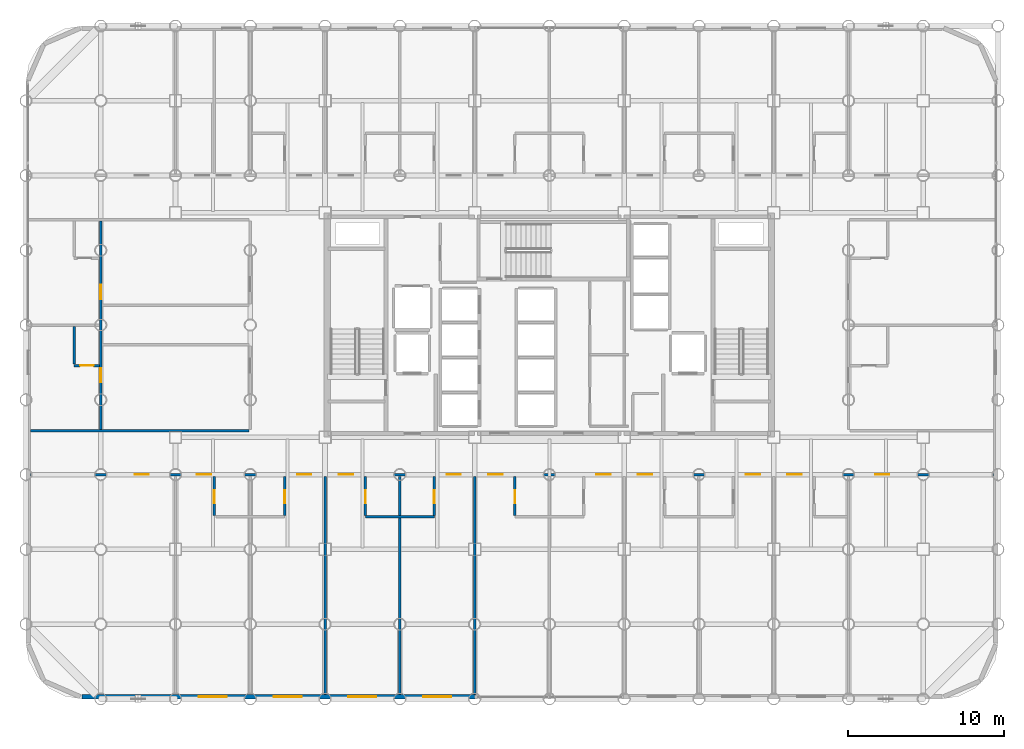
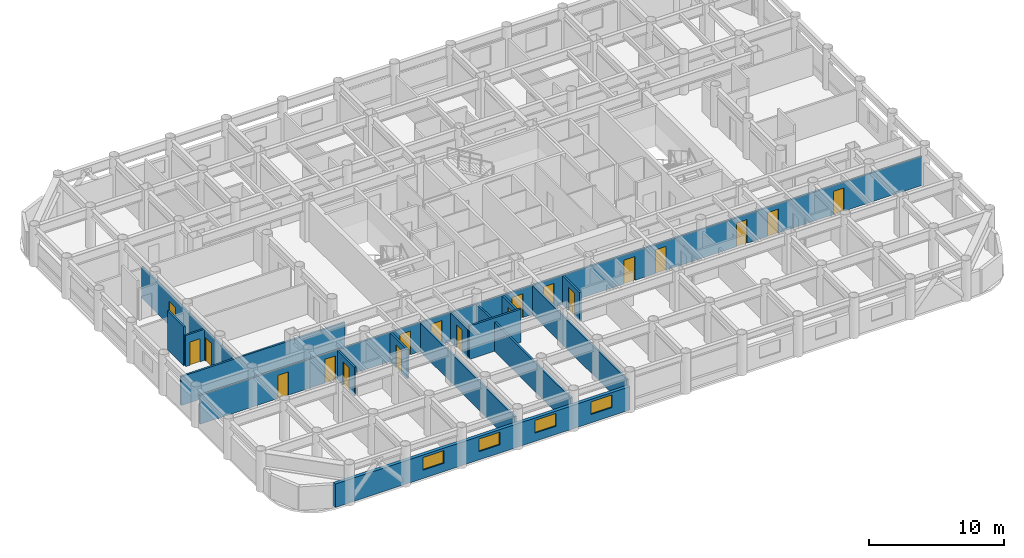
# One storey, part 16 of 22: 19 doors, 15 walls, 4 windows, 23 openings.
"""IFC4 building model written with IfcOpenShell, lengths in metres."""

from ifc_helpers import new_model, si_unit, direction, frame, frame_2d, origin, place, context, subcontext, project, spatial, rectangle, extrude, material, layer, layer_set, type_object, element, fill, save


model = new_model("IFC4")

# Units and contexts
model_context = context("Model", 3, precision=1e-05, world=origin(), true_north=direction((0.0, 1.0)))
body_context = subcontext(model_context, "Body", "Model", "MODEL_VIEW")
ifc_project = project(units=[si_unit("LENGTHUNIT", "METRE"), si_unit("AREAUNIT", "SQUARE_METRE"), si_unit("VOLUMEUNIT", "CUBIC_METRE"), si_unit("PLANEANGLEUNIT", "RADIAN"), si_unit("MASSUNIT", "GRAM", prefix="KILO")], contexts=[model_context])

# Site, building, storey
site_placement = place(None, origin())
site = spatial("IfcSite", under=ifc_project, at=site_placement, CompositionType="ELEMENT")
building_placement = place(site_placement, origin())
building = spatial("IfcBuilding", under=site, at=building_placement, Name="Kallvorn Hotel Tower", CompositionType="ELEMENT")
storey_placement = place(building_placement, frame((0.0, 0.0, 33.699951171875)))
storey = spatial("IfcBuildingStorey", under=building, at=storey_placement, Name="L06", CompositionType="ELEMENT", Elevation=33.699951171875)

# Wall
ifc_material_1 = material(Name="Fire-rated double-layer acoustic gypsum drywall EI 60")
ifc_layer_1 = layer(ifc_material_1, 0.159912109375)
ifc_layer_set_1 = layer_set([ifc_layer_1], Name="WL_DEMISE_160")
wall_type_1 = type_object("IfcWallType", Name="WL_DEMISE_160", PredefinedType="PARTITIONING", material=ifc_layer_set_1)
wall_1_placement = place(storey_placement, frame((-11.81005859375, -12.320068359375, 0.0), z_axis=(0.0, 0.0, 1.0), x_axis=(1.0, 0.0, 0.0)))
element("IfcWall", 1, at=wall_1_placement, inside=storey, type_object=wall_type_1, Name="L06 Suite 607 Superior Twin Room Partition", PredefinedType="PARTITIONING", context=body_context, shape_type="SweptSolid", body=[
    extrude(rectangle(XDim=4.420166015625, YDim=0.159912109375, at=frame_2d((2.2099609375, 0.0))), origin(), (0.0, 0.0, 1.0), 3.02001953125),
])

# Wall, openings, doors
wall_2_placement = place(storey_placement, frame((-33.31005859375, -9.60009765625, 0.0), z_axis=(0.0, 0.0, 1.0), x_axis=(1.0, 0.0, 0.0)))
wall_2 = element("IfcWall", 2, at=wall_2_placement, inside=storey, type_object=wall_type_1, Name="L06 Suite 605 Superior Twin Room Partition", PredefinedType="PARTITIONING", context=body_context, shape_type="SweptSolid", body=[
    extrude(rectangle(XDim=61.820068359375, YDim=0.159912109375, at=frame_2d((30.91015625, 0.0))), origin(), (0.0, 0.0, 1.0), 2.6201171875),
])
opening_1_placement = place(wall_2_placement, frame((6.679443359375, 0.0, 0.0)))
opening_1 = element("IfcOpeningElement", 3, at=opening_1_placement, cuts=wall_2, Name="Opening SVD1", PredefinedType="OPENING", context=body_context, shape_type="SweptSolid", body=[
    extrude(rectangle(XDim=0.89990234375, YDim=2.10009765625, at=frame_2d((0.449951171875, 1.050048828125))), frame((0.0, 0.094970703125, 0.0), z_axis=(0.0, -1.0, 0.0), x_axis=(1.0, 0.0, 0.0)), (0.0, 0.0, 1.0), 0.18994140625),
])
opening_2_placement = place(wall_2_placement, frame((54.240478515625, 0.0, 0.0)))
opening_2 = element("IfcOpeningElement", 4, at=opening_2_placement, cuts=wall_2, Name="Opening SVD1", PredefinedType="OPENING", context=body_context, shape_type="SweptSolid", body=[
    extrude(rectangle(XDim=0.89990234375, YDim=2.10009765625, at=frame_2d((0.449951171875, 1.050048828125))), frame((0.0, 0.094970703125, 0.0), z_axis=(0.0, -1.0, 0.0), x_axis=(1.0, 0.0, 0.0)), (0.0, 0.0, 1.0), 0.18994140625),
])
opening_3_placement = place(wall_2_placement, frame((10.679931640625, 0.0, 0.0)))
opening_3 = element("IfcOpeningElement", 5, at=opening_3_placement, cuts=wall_2, Name="Opening GD1", PredefinedType="OPENING", context=body_context, shape_type="SweptSolid", body=[
    extrude(rectangle(XDim=0.919921875, YDim=2.14990234375, at=frame_2d((0.4599609375, 1.074951171875))), frame((0.0, 0.094970703125, 0.0), z_axis=(0.0, -1.0, 0.0), x_axis=(1.0, 0.0, 0.0)), (0.0, 0.0, 1.0), 0.18994140625),
])
opening_4_placement = place(wall_2_placement, frame((17.114990234375, 0.0, 0.0)))
opening_4 = element("IfcOpeningElement", 6, at=opening_4_placement, cuts=wall_2, Name="Opening GD1", PredefinedType="OPENING", context=body_context, shape_type="SweptSolid", body=[
    extrude(rectangle(XDim=0.919921875, YDim=2.14990234375, at=frame_2d((0.4599609375, 1.074951171875))), frame((0.0, 0.094970703125, 0.0), z_axis=(0.0, -1.0, 0.0), x_axis=(1.0, 0.0, 0.0)), (0.0, 0.0, 1.0), 0.18994140625),
])
opening_5_placement = place(wall_2_placement, frame((19.784912109375, 0.0, 0.0)))
opening_5 = element("IfcOpeningElement", 7, at=opening_5_placement, cuts=wall_2, Name="Opening GD1", PredefinedType="OPENING", context=body_context, shape_type="SweptSolid", body=[
    extrude(rectangle(XDim=0.919921875, YDim=2.14990234375, at=frame_2d((0.4599609375, 1.074951171875))), frame((0.0, 0.094970703125, 0.0), z_axis=(0.0, -1.0, 0.0), x_axis=(1.0, 0.0, 0.0)), (0.0, 0.0, 1.0), 0.18994140625),
])
opening_6_placement = place(wall_2_placement, frame((26.715087890625, 0.0, 0.0)))
opening_6 = element("IfcOpeningElement", 8, at=opening_6_placement, cuts=wall_2, Name="Opening GD1", PredefinedType="OPENING", context=body_context, shape_type="SweptSolid", body=[
    extrude(rectangle(XDim=0.919921875, YDim=2.14990234375, at=frame_2d((0.4599609375, 1.074951171875))), frame((0.0, 0.094970703125, 0.0), z_axis=(0.0, -1.0, 0.0), x_axis=(1.0, 0.0, 0.0)), (0.0, 0.0, 1.0), 0.18994140625),
])
opening_7_placement = place(wall_2_placement, frame((29.385009765625, 0.0, 0.0)))
opening_7 = element("IfcOpeningElement", 9, at=opening_7_placement, cuts=wall_2, Name="Opening GD1", PredefinedType="OPENING", context=body_context, shape_type="SweptSolid", body=[
    extrude(rectangle(XDim=0.919921875, YDim=2.14990234375, at=frame_2d((0.4599609375, 1.074951171875))), frame((0.0, 0.094970703125, 0.0), z_axis=(0.0, -1.0, 0.0), x_axis=(1.0, 0.0, 0.0)), (0.0, 0.0, 1.0), 0.18994140625),
])
opening_8_placement = place(wall_2_placement, frame((36.31494140625, 0.0, 0.0)))
opening_8 = element("IfcOpeningElement", 10, at=opening_8_placement, cuts=wall_2, Name="Opening GD1", PredefinedType="OPENING", context=body_context, shape_type="SweptSolid", body=[
    extrude(rectangle(XDim=0.919921875, YDim=2.14990234375, at=frame_2d((0.4599609375, 1.074951171875))), frame((0.0, 0.094970703125, 0.0), z_axis=(0.0, -1.0, 0.0), x_axis=(1.0, 0.0, 0.0)), (0.0, 0.0, 1.0), 0.18994140625),
])
opening_9_placement = place(wall_2_placement, frame((38.985107421875, 0.0, 0.0)))
opening_9 = element("IfcOpeningElement", 11, at=opening_9_placement, cuts=wall_2, Name="Opening GD1", PredefinedType="OPENING", context=body_context, shape_type="SweptSolid", body=[
    extrude(rectangle(XDim=0.919921875, YDim=2.14990234375, at=frame_2d((0.4599609375, 1.074951171875))), frame((0.0, 0.094970703125, 0.0), z_axis=(0.0, -1.0, 0.0), x_axis=(1.0, 0.0, 0.0)), (0.0, 0.0, 1.0), 0.18994140625),
])
opening_10_placement = place(wall_2_placement, frame((45.9150390625, 0.0, 0.0)))
opening_10 = element("IfcOpeningElement", 12, at=opening_10_placement, cuts=wall_2, Name="Opening GD1", PredefinedType="OPENING", context=body_context, shape_type="SweptSolid", body=[
    extrude(rectangle(XDim=0.919921875, YDim=2.14990234375, at=frame_2d((0.4599609375, 1.074951171875))), frame((0.0, 0.094970703125, 0.0), z_axis=(0.0, -1.0, 0.0), x_axis=(1.0, 0.0, 0.0)), (0.0, 0.0, 1.0), 0.18994140625),
])
opening_11_placement = place(wall_2_placement, frame((48.5849609375, 0.0, 0.0)))
opening_11 = element("IfcOpeningElement", 13, at=opening_11_placement, cuts=wall_2, Name="Opening GD1", PredefinedType="OPENING", context=body_context, shape_type="SweptSolid", body=[
    extrude(rectangle(XDim=0.919921875, YDim=2.14990234375, at=frame_2d((0.4599609375, 1.074951171875))), frame((0.0, 0.094970703125, 0.0), z_axis=(0.0, -1.0, 0.0), x_axis=(1.0, 0.0, 0.0)), (0.0, 0.0, 1.0), 0.18994140625),
])
ifc_material_2 = material(Name="Solid-core walnut veneer fire-rated timber door leaf", Category="wood")
door_type_1 = type_object("IfcDoorType", Name="DR_GUEST_920x2150", OperationType="NOTDEFINED", PredefinedType="DOOR", material=ifc_material_2)
door_1_placement = place(opening_3_placement, origin())
door_1 = element("IfcDoor", 14, at=door_1_placement, inside=storey, type_object=door_type_1, Name="L06 Suite 605 Superior Twin Room Door", OperationType="SINGLE_SWING_LEFT", OverallHeight=2.14990234375, OverallWidth=0.919921875, PredefinedType="DOOR", context=body_context, shape_type="SweptSolid", body=[
    extrude(rectangle(XDim=0.919921875, YDim=2.14990234375, at=frame_2d((0.4599609375, 1.074951171875))), frame((0.0, 0.02490234375, 0.0), z_axis=(0.0, -1.0, 0.0), x_axis=(1.0, 0.0, 0.0)), (0.0, 0.0, 1.0), 0.050048828125),
])
fill(opening_3, door_1)
door_2_placement = place(opening_4_placement, origin())
door_2 = element("IfcDoor", 15, at=door_2_placement, inside=storey, type_object=door_type_1, Name="L06 Suite 606 Superior Twin Room Door", OperationType="SINGLE_SWING_RIGHT", OverallHeight=2.14990234375, OverallWidth=0.919921875, PredefinedType="DOOR", context=body_context, shape_type="SweptSolid", body=[
    extrude(rectangle(XDim=0.919921875, YDim=2.14990234375, at=frame_2d((0.4599609375, 1.074951171875))), frame((0.0, 0.02490234375, 0.0), z_axis=(0.0, -1.0, 0.0), x_axis=(1.0, 0.0, 0.0)), (0.0, 0.0, 1.0), 0.050048828125),
])
fill(opening_4, door_2)
door_3_placement = place(opening_5_placement, origin())
door_3 = element("IfcDoor", 16, at=door_3_placement, inside=storey, type_object=door_type_1, Name="L06 Suite 607 Superior Twin Room Door", OperationType="SINGLE_SWING_RIGHT", OverallHeight=2.14990234375, OverallWidth=0.919921875, PredefinedType="DOOR", context=body_context, shape_type="SweptSolid", body=[
    extrude(rectangle(XDim=0.919921875, YDim=2.14990234375, at=frame_2d((0.4599609375, 1.074951171875))), frame((0.0, 0.02490234375, 0.0), z_axis=(0.0, -1.0, 0.0), x_axis=(1.0, 0.0, 0.0)), (0.0, 0.0, 1.0), 0.050048828125),
])
fill(opening_5, door_3)
door_4_placement = place(opening_6_placement, origin())
door_4 = element("IfcDoor", 17, at=door_4_placement, inside=storey, type_object=door_type_1, Name="L06 Suite 608 Superior Twin Room Door", OperationType="SINGLE_SWING_RIGHT", OverallHeight=2.14990234375, OverallWidth=0.919921875, PredefinedType="DOOR", context=body_context, shape_type="SweptSolid", body=[
    extrude(rectangle(XDim=0.919921875, YDim=2.14990234375, at=frame_2d((0.4599609375, 1.074951171875))), frame((0.0, 0.02490234375, 0.0), z_axis=(0.0, -1.0, 0.0), x_axis=(1.0, 0.0, 0.0)), (0.0, 0.0, 1.0), 0.050048828125),
])
fill(opening_6, door_4)
door_5_placement = place(opening_7_placement, origin())
door_5 = element("IfcDoor", 18, at=door_5_placement, inside=storey, type_object=door_type_1, Name="L06 Suite 609 Superior Twin Room Door", OperationType="SINGLE_SWING_LEFT", OverallHeight=2.14990234375, OverallWidth=0.919921875, PredefinedType="DOOR", context=body_context, shape_type="SweptSolid", body=[
    extrude(rectangle(XDim=0.919921875, YDim=2.14990234375, at=frame_2d((0.4599609375, 1.074951171875))), frame((0.0, 0.02490234375, 0.0), z_axis=(0.0, -1.0, 0.0), x_axis=(1.0, 0.0, 0.0)), (0.0, 0.0, 1.0), 0.050048828125),
])
fill(opening_7, door_5)
door_6_placement = place(opening_8_placement, origin())
door_6 = element("IfcDoor", 19, at=door_6_placement, inside=storey, type_object=door_type_1, Name="L06 Suite 610 Superior Twin Room Door", OperationType="SINGLE_SWING_LEFT", OverallHeight=2.14990234375, OverallWidth=0.919921875, PredefinedType="DOOR", context=body_context, shape_type="SweptSolid", body=[
    extrude(rectangle(XDim=0.919921875, YDim=2.14990234375, at=frame_2d((0.4599609375, 1.074951171875))), frame((0.0, 0.02490234375, 0.0), z_axis=(0.0, -1.0, 0.0), x_axis=(1.0, 0.0, 0.0)), (0.0, 0.0, 1.0), 0.050048828125),
])
fill(opening_8, door_6)
door_7_placement = place(opening_9_placement, origin())
door_7 = element("IfcDoor", 20, at=door_7_placement, inside=storey, type_object=door_type_1, Name="L06 Suite 611 Superior Twin Room Door", OperationType="SINGLE_SWING_RIGHT", OverallHeight=2.14990234375, OverallWidth=0.919921875, PredefinedType="DOOR", context=body_context, shape_type="SweptSolid", body=[
    extrude(rectangle(XDim=0.919921875, YDim=2.14990234375, at=frame_2d((0.4599609375, 1.074951171875))), frame((0.0, 0.02490234375, 0.0), z_axis=(0.0, -1.0, 0.0), x_axis=(1.0, 0.0, 0.0)), (0.0, 0.0, 1.0), 0.050048828125),
])
fill(opening_9, door_7)
door_8_placement = place(opening_10_placement, origin())
door_8 = element("IfcDoor", 21, at=door_8_placement, inside=storey, type_object=door_type_1, Name="L06 Suite 612 Superior Twin Room Door", OperationType="SINGLE_SWING_LEFT", OverallHeight=2.14990234375, OverallWidth=0.919921875, PredefinedType="DOOR", context=body_context, shape_type="SweptSolid", body=[
    extrude(rectangle(XDim=0.919921875, YDim=2.14990234375, at=frame_2d((0.4599609375, 1.074951171875))), frame((0.0, 0.02490234375, 0.0), z_axis=(0.0, -1.0, 0.0), x_axis=(1.0, 0.0, 0.0)), (0.0, 0.0, 1.0), 0.050048828125),
])
fill(opening_10, door_8)
door_9_placement = place(opening_11_placement, origin())
door_9 = element("IfcDoor", 22, at=door_9_placement, inside=storey, type_object=door_type_1, Name="L06 Suite 613 Superior Twin Room Door", OperationType="SINGLE_SWING_RIGHT", OverallHeight=2.14990234375, OverallWidth=0.919921875, PredefinedType="DOOR", context=body_context, shape_type="SweptSolid", body=[
    extrude(rectangle(XDim=0.919921875, YDim=2.14990234375, at=frame_2d((0.4599609375, 1.074951171875))), frame((0.0, 0.02490234375, 0.0), z_axis=(0.0, -1.0, 0.0), x_axis=(1.0, 0.0, 0.0)), (0.0, 0.0, 1.0), 0.050048828125),
])
fill(opening_11, door_9)
ifc_material_3 = material(Name="Galvanised painted steel fire-rated door assembly", Category="steel")
door_type_2 = type_object("IfcDoorType", Name="DR_SERV_900x2100", OperationType="NOTDEFINED", PredefinedType="DOOR", material=ifc_material_3)
door_10_placement = place(opening_1_placement, origin())
door_10 = element("IfcDoor", 23, at=door_10_placement, inside=storey, type_object=door_type_2, Name="L06 L06 South-West Botanical Bar Door", OperationType="SINGLE_SWING_RIGHT", OverallHeight=2.10009765625, OverallWidth=0.89990234375, PredefinedType="DOOR", context=body_context, shape_type="SweptSolid", body=[
    extrude(rectangle(XDim=0.89990234375, YDim=2.10009765625, at=frame_2d((0.449951171875, 1.050048828125))), frame((0.0, 0.02490234375, 0.0), z_axis=(0.0, -1.0, 0.0), x_axis=(1.0, 0.0, 0.0)), (0.0, 0.0, 1.0), 0.050048828125),
])
fill(opening_1, door_10)
door_11_placement = place(opening_2_placement, origin())
door_11 = element("IfcDoor", 24, at=door_11_placement, inside=storey, type_object=door_type_2, Name="L06 L06 South-East Sommelier Bar Door", OperationType="SINGLE_SWING_RIGHT", OverallHeight=2.10009765625, OverallWidth=0.89990234375, PredefinedType="DOOR", context=body_context, shape_type="SweptSolid", body=[
    extrude(rectangle(XDim=0.89990234375, YDim=2.10009765625, at=frame_2d((0.449951171875, 1.050048828125))), frame((0.0, 0.02490234375, 0.0), z_axis=(0.0, -1.0, 0.0), x_axis=(1.0, 0.0, 0.0)), (0.0, 0.0, 1.0), 0.050048828125),
])
fill(opening_2, door_11)

# Wall
wall_3_placement = place(storey_placement, frame((-33.31005859375, -6.800048828125, 0.0), z_axis=(0.0, 0.0, 1.0), x_axis=(1.0, 0.0, 0.0)))
element("IfcWall", 25, at=wall_3_placement, inside=storey, type_object=wall_type_1, Name="L06 Suite 601 W Loggia King Room Partition", PredefinedType="PARTITIONING", context=body_context, shape_type="SweptSolid", body=[
    extrude(rectangle(XDim=14.030029296875, YDim=0.159912109375, at=frame_2d((7.01513671875, 0.0))), origin(), (0.0, 0.0, 1.0), 2.6201171875),
])

# Wall, opening, door
wall_4_placement = place(storey_placement, frame((-30.5, -2.60009765625, 0.0), z_axis=(0.0, 0.0, 1.0), x_axis=(1.0, 0.0, 0.0)))
wall_4 = element("IfcWall", 26, at=wall_4_placement, inside=storey, type_object=wall_type_1, Name="L06 Suite 601 W Loggia King Room Partition", PredefinedType="PARTITIONING", context=body_context, shape_type="SweptSolid", body=[
    extrude(rectangle(XDim=1.6201171875, YDim=0.159912109375, at=frame_2d((0.81005859375, 0.0))), origin(), (0.0, 0.0, 1.0), 2.820068359375),
])
opening_12_placement = place(wall_4_placement, frame((0.3798828125, 0.0, 0.0)))
opening_12 = element("IfcOpeningElement", 27, at=opening_12_placement, cuts=wall_4, Name="Opening BD-I", PredefinedType="OPENING", context=body_context, shape_type="SweptSolid", body=[
    extrude(rectangle(XDim=0.860107421875, YDim=2.10009765625, at=frame_2d((0.43017578125, 1.050048828125))), frame((0.0, 0.094970703125, 0.0), z_axis=(0.0, -1.0, 0.0), x_axis=(1.0, 0.0, 0.0)), (0.0, 0.0, 1.0), 0.18994140625),
])
ifc_material_4 = material(Name="Solid-core walnut veneer fire-rated timber door leaf", Category="wood")
door_type_3 = type_object("IfcDoorType", Name="DR_BATH_860x2100", OperationType="NOTDEFINED", PredefinedType="DOOR", material=ifc_material_4)
door_12_placement = place(opening_12_placement, origin())
door_12 = element("IfcDoor", 28, at=door_12_placement, inside=storey, type_object=door_type_3, Name="L06 Suite 601 En-Suite Bathroom Door", OperationType="SINGLE_SWING_RIGHT", OverallHeight=2.10009765625, OverallWidth=0.860107421875, PredefinedType="DOOR", context=body_context, shape_type="SweptSolid", body=[
    extrude(rectangle(XDim=0.860107421875, YDim=2.10009765625, at=frame_2d((0.43017578125, 1.050048828125))), frame((0.0, 0.02490234375, 0.0), z_axis=(0.0, -1.0, 0.0), x_axis=(1.0, 0.0, 0.0)), (0.0, 0.0, 1.0), 0.050048828125),
])
fill(opening_12, door_12)

# Wall
wall_5_placement = place(storey_placement, frame((-30.5, -2.514892578125, 0.0), z_axis=(0.0, 0.0, 1.0), x_axis=(0.0, 1.0, 0.0)))
element("IfcWall", 29, at=wall_5_placement, inside=storey, type_object=wall_type_1, Name="L06 Suite 601 W Loggia King Room Partition", PredefinedType="PARTITIONING", context=body_context, shape_type="SweptSolid", body=[
    extrude(rectangle(XDim=2.414794921875, YDim=0.159912109375, at=frame_2d((1.20751953125, 0.0))), origin(), (0.0, 0.0, 1.0), 3.52001953125),
])

# Wall, openings, doors
wall_6_placement = place(storey_placement, frame((-28.800048828125, -6.715087890625, 0.0), z_axis=(0.0, 0.0, 1.0), x_axis=(0.0, 1.0, 0.0)))
wall_6 = element("IfcWall", 30, at=wall_6_placement, inside=storey, type_object=wall_type_1, Name="L06 Suite 601 W Loggia King Room Partition", PredefinedType="PARTITIONING", context=body_context, shape_type="SweptSolid", body=[
    extrude(rectangle(XDim=13.388427734375, YDim=0.159912109375, at=frame_2d((6.6943359375, 0.0))), origin(), (0.0, 0.0, 1.0), 2.820068359375),
])
opening_13_placement = place(wall_6_placement, frame((3.034912109375, 0.0, 0.0)))
opening_13 = element("IfcOpeningElement", 31, at=opening_13_placement, cuts=wall_6, Name="Opening GD1", PredefinedType="OPENING", context=body_context, shape_type="SweptSolid", body=[
    extrude(rectangle(XDim=0.919921875, YDim=2.14990234375, at=frame_2d((0.4599609375, 1.074951171875))), frame((0.0, 0.094970703125, 0.0), z_axis=(0.0, -1.0, 0.0), x_axis=(1.0, 0.0, 0.0)), (0.0, 0.0, 1.0), 0.18994140625),
])
opening_14_placement = place(wall_6_placement, frame((8.385009765625, 0.0, 0.0)))
opening_14 = element("IfcOpeningElement", 32, at=opening_14_placement, cuts=wall_6, Name="Opening GD1", PredefinedType="OPENING", context=body_context, shape_type="SweptSolid", body=[
    extrude(rectangle(XDim=0.919921875, YDim=2.14990234375, at=frame_2d((0.4599609375, 1.074951171875))), frame((0.0, 0.094970703125, 0.0), z_axis=(0.0, -1.0, 0.0), x_axis=(1.0, 0.0, 0.0)), (0.0, 0.0, 1.0), 0.18994140625),
])
door_13_placement = place(opening_13_placement, origin())
door_13 = element("IfcDoor", 33, at=door_13_placement, inside=storey, type_object=door_type_1, Name="L06 Suite 601 W Loggia King Room Door", OperationType="SINGLE_SWING_LEFT", OverallHeight=2.14990234375, OverallWidth=0.919921875, PredefinedType="DOOR", context=body_context, shape_type="SweptSolid", body=[
    extrude(rectangle(XDim=0.919921875, YDim=2.14990234375, at=frame_2d((0.4599609375, 1.074951171875))), frame((0.0, 0.02490234375, 0.0), z_axis=(0.0, -1.0, 0.0), x_axis=(1.0, 0.0, 0.0)), (0.0, 0.0, 1.0), 0.050048828125),
])
fill(opening_13, door_13)
door_14_placement = place(opening_14_placement, origin())
door_14 = element("IfcDoor", 34, at=door_14_placement, inside=storey, type_object=door_type_1, Name="L06 Suite 602 W Andean Twin Room Door", OperationType="SINGLE_SWING_RIGHT", OverallHeight=2.14990234375, OverallWidth=0.919921875, PredefinedType="DOOR", context=body_context, shape_type="SweptSolid", body=[
    extrude(rectangle(XDim=0.919921875, YDim=2.14990234375, at=frame_2d((0.4599609375, 1.074951171875))), frame((0.0, 0.02490234375, 0.0), z_axis=(0.0, -1.0, 0.0), x_axis=(1.0, 0.0, 0.0)), (0.0, 0.0, 1.0), 0.050048828125),
])
fill(opening_14, door_14)

# Wall, opening, door
wall_7_placement = place(storey_placement, frame((-21.5048828125, -12.235107421875, 0.0), z_axis=(0.0, 0.0, 1.0), x_axis=(0.0, 1.0, 0.0)))
wall_7 = element("IfcWall", 35, at=wall_7_placement, inside=storey, type_object=wall_type_1, Name="L06 Suite 605 Superior Twin Room Partition", PredefinedType="PARTITIONING", context=body_context, shape_type="SweptSolid", body=[
    extrude(rectangle(XDim=2.51513671875, YDim=0.159912109375, at=frame_2d((1.257568359375, 0.0))), origin(), (0.0, 0.0, 1.0), 2.6201171875),
])
opening_15_placement = place(wall_7_placement, frame((0.784912109375, 0.0, 0.0)))
opening_15 = element("IfcOpeningElement", 36, at=opening_15_placement, cuts=wall_7, Name="Opening BD-I", PredefinedType="OPENING", context=body_context, shape_type="SweptSolid", body=[
    extrude(rectangle(XDim=0.860107421875, YDim=2.10009765625, at=frame_2d((0.43017578125, 1.050048828125))), frame((0.0, 0.094970703125, 0.0), z_axis=(0.0, -1.0, 0.0), x_axis=(1.0, 0.0, 0.0)), (0.0, 0.0, 1.0), 0.18994140625),
])
door_15_placement = place(opening_15_placement, origin())
door_15 = element("IfcDoor", 37, at=door_15_placement, inside=storey, type_object=door_type_3, Name="L06 Suite 605 En-Suite Bathroom Door", OperationType="SINGLE_SWING_LEFT", OverallHeight=2.10009765625, OverallWidth=0.860107421875, PredefinedType="DOOR", context=body_context, shape_type="SweptSolid", body=[
    extrude(rectangle(XDim=0.860107421875, YDim=2.10009765625, at=frame_2d((0.43017578125, 1.050048828125))), frame((0.0, 0.02490234375, 0.0), z_axis=(0.0, -1.0, 0.0), x_axis=(1.0, 0.0, 0.0)), (0.0, 0.0, 1.0), 0.050048828125),
])
fill(opening_15, door_15)

wall_8_placement = place(storey_placement, frame((-16.989990234375, -12.235107421875, 0.0), z_axis=(0.0, 0.0, 1.0), x_axis=(0.0, 1.0, 0.0)))
wall_8 = element("IfcWall", 38, at=wall_8_placement, inside=storey, type_object=wall_type_1, Name="L06 Suite 606 Superior Twin Room Partition", PredefinedType="PARTITIONING", context=body_context, shape_type="SweptSolid", body=[
    extrude(rectangle(XDim=2.51513671875, YDim=0.159912109375, at=frame_2d((1.257568359375, 0.0))), origin(), (0.0, 0.0, 1.0), 2.6201171875),
])
opening_16_placement = place(wall_8_placement, frame((0.784912109375, 0.0, 0.0)))
opening_16 = element("IfcOpeningElement", 39, at=opening_16_placement, cuts=wall_8, Name="Opening BD-I", PredefinedType="OPENING", context=body_context, shape_type="SweptSolid", body=[
    extrude(rectangle(XDim=0.860107421875, YDim=2.10009765625, at=frame_2d((0.43017578125, 1.050048828125))), frame((0.0, 0.094970703125, 0.0), z_axis=(0.0, -1.0, 0.0), x_axis=(1.0, 0.0, 0.0)), (0.0, 0.0, 1.0), 0.18994140625),
])
door_16_placement = place(opening_16_placement, origin())
door_16 = element("IfcDoor", 40, at=door_16_placement, inside=storey, type_object=door_type_3, Name="L06 Suite 606 En-Suite Bathroom Door", OperationType="SINGLE_SWING_LEFT", OverallHeight=2.10009765625, OverallWidth=0.860107421875, PredefinedType="DOOR", context=body_context, shape_type="SweptSolid", body=[
    extrude(rectangle(XDim=0.860107421875, YDim=2.10009765625, at=frame_2d((0.43017578125, 1.050048828125))), frame((0.0, 0.02490234375, 0.0), z_axis=(0.0, -1.0, 0.0), x_axis=(1.0, 0.0, 0.0)), (0.0, 0.0, 1.0), 0.050048828125),
])
fill(opening_16, door_16)

# Wall
wall_9_placement = place(storey_placement, frame((-14.39990234375, -23.7099609375, 0.0), z_axis=(0.0, 0.0, 1.0), x_axis=(0.0, 1.0, 0.0)))
element("IfcWall", 41, at=wall_9_placement, inside=storey, type_object=wall_type_1, Name="L06 Suite 606 Superior Twin Room Partition", PredefinedType="PARTITIONING", context=body_context, shape_type="SweptSolid", body=[
    extrude(rectangle(XDim=13.989990234375, YDim=0.159912109375, at=frame_2d((6.9951171875, 0.0))), origin(), (0.0, 0.0, 1.0), 2.6201171875),
])

# Wall, opening, door
wall_10_placement = place(storey_placement, frame((-11.81005859375, -12.235107421875, 0.0), z_axis=(0.0, 0.0, 1.0), x_axis=(0.0, 1.0, 0.0)))
wall_10 = element("IfcWall", 42, at=wall_10_placement, inside=storey, type_object=wall_type_1, Name="L06 Suite 607 Superior Twin Room Partition", PredefinedType="PARTITIONING", context=body_context, shape_type="SweptSolid", body=[
    extrude(rectangle(XDim=2.51513671875, YDim=0.159912109375, at=frame_2d((1.257568359375, 0.0))), origin(), (0.0, 0.0, 1.0), 2.6201171875),
])
opening_17_placement = place(wall_10_placement, frame((0.784912109375, 0.0, 0.0)))
opening_17 = element("IfcOpeningElement", 43, at=opening_17_placement, cuts=wall_10, Name="Opening BD-I", PredefinedType="OPENING", context=body_context, shape_type="SweptSolid", body=[
    extrude(rectangle(XDim=0.860107421875, YDim=2.10009765625, at=frame_2d((0.43017578125, 1.050048828125))), frame((0.0, 0.094970703125, 0.0), z_axis=(0.0, -1.0, 0.0), x_axis=(1.0, 0.0, 0.0)), (0.0, 0.0, 1.0), 0.18994140625),
])
door_17_placement = place(opening_17_placement, origin())
door_17 = element("IfcDoor", 44, at=door_17_placement, inside=storey, type_object=door_type_3, Name="L06 Suite 607 En-Suite Bathroom Door", OperationType="SINGLE_SWING_LEFT", OverallHeight=2.10009765625, OverallWidth=0.860107421875, PredefinedType="DOOR", context=body_context, shape_type="SweptSolid", body=[
    extrude(rectangle(XDim=0.860107421875, YDim=2.10009765625, at=frame_2d((0.43017578125, 1.050048828125))), frame((0.0, 0.02490234375, 0.0), z_axis=(0.0, -1.0, 0.0), x_axis=(1.0, 0.0, 0.0)), (0.0, 0.0, 1.0), 0.050048828125),
])
fill(opening_17, door_17)

# Wall
wall_11_placement = place(storey_placement, frame((-9.60009765625, -23.7099609375, 0.0), z_axis=(0.0, 0.0, 1.0), x_axis=(0.0, 1.0, 0.0)))
element("IfcWall", 45, at=wall_11_placement, inside=storey, type_object=wall_type_1, Name="L06 Suite 607 Superior Twin Room Partition", PredefinedType="PARTITIONING", context=body_context, shape_type="SweptSolid", body=[
    extrude(rectangle(XDim=13.989990234375, YDim=0.159912109375, at=frame_2d((6.9951171875, 0.0))), origin(), (0.0, 0.0, 1.0), 2.6201171875),
])

# Wall, opening, door
wall_12_placement = place(storey_placement, frame((-7.389892578125, -12.235107421875, 0.0), z_axis=(0.0, 0.0, 1.0), x_axis=(0.0, 1.0, 0.0)))
wall_12 = element("IfcWall", 46, at=wall_12_placement, inside=storey, type_object=wall_type_1, Name="L06 Suite 608 Superior Twin Room Partition", PredefinedType="PARTITIONING", context=body_context, shape_type="SweptSolid", body=[
    extrude(rectangle(XDim=2.51513671875, YDim=0.159912109375, at=frame_2d((1.257568359375, 0.0))), origin(), (0.0, 0.0, 1.0), 2.6201171875),
])
opening_18_placement = place(wall_12_placement, frame((0.784912109375, 0.0, 0.0)))
opening_18 = element("IfcOpeningElement", 47, at=opening_18_placement, cuts=wall_12, Name="Opening BD-I", PredefinedType="OPENING", context=body_context, shape_type="SweptSolid", body=[
    extrude(rectangle(XDim=0.860107421875, YDim=2.10009765625, at=frame_2d((0.43017578125, 1.050048828125))), frame((0.0, 0.094970703125, 0.0), z_axis=(0.0, -1.0, 0.0), x_axis=(1.0, 0.0, 0.0)), (0.0, 0.0, 1.0), 0.18994140625),
])
door_18_placement = place(opening_18_placement, origin())
door_18 = element("IfcDoor", 48, at=door_18_placement, inside=storey, type_object=door_type_3, Name="L06 Suite 608 En-Suite Bathroom Door", OperationType="SINGLE_SWING_LEFT", OverallHeight=2.10009765625, OverallWidth=0.860107421875, PredefinedType="DOOR", context=body_context, shape_type="SweptSolid", body=[
    extrude(rectangle(XDim=0.860107421875, YDim=2.10009765625, at=frame_2d((0.43017578125, 1.050048828125))), frame((0.0, 0.02490234375, 0.0), z_axis=(0.0, -1.0, 0.0), x_axis=(1.0, 0.0, 0.0)), (0.0, 0.0, 1.0), 0.050048828125),
])
fill(opening_18, door_18)

# Wall
wall_13_placement = place(storey_placement, frame((-4.800048828125, -23.7099609375, 0.0), z_axis=(0.0, 0.0, 1.0), x_axis=(0.0, 1.0, 0.0)))
element("IfcWall", 49, at=wall_13_placement, inside=storey, type_object=wall_type_1, Name="L06 Suite 608 Superior Twin Room Partition", PredefinedType="PARTITIONING", context=body_context, shape_type="SweptSolid", body=[
    extrude(rectangle(XDim=13.989990234375, YDim=0.159912109375, at=frame_2d((6.9951171875, 0.0))), origin(), (0.0, 0.0, 1.0), 2.6201171875),
])

# Wall, opening, door
wall_14_placement = place(storey_placement, frame((-2.2099609375, -12.235107421875, 0.0), z_axis=(0.0, 0.0, 1.0), x_axis=(0.0, 1.0, 0.0)))
wall_14 = element("IfcWall", 50, at=wall_14_placement, inside=storey, type_object=wall_type_1, Name="L06 Suite 609 Superior Twin Room Partition", PredefinedType="PARTITIONING", context=body_context, shape_type="SweptSolid", body=[
    extrude(rectangle(XDim=2.51513671875, YDim=0.159912109375, at=frame_2d((1.257568359375, 0.0))), origin(), (0.0, 0.0, 1.0), 2.6201171875),
])
opening_19_placement = place(wall_14_placement, frame((0.784912109375, 0.0, 0.0)))
opening_19 = element("IfcOpeningElement", 51, at=opening_19_placement, cuts=wall_14, Name="Opening BD-I", PredefinedType="OPENING", context=body_context, shape_type="SweptSolid", body=[
    extrude(rectangle(XDim=0.860107421875, YDim=2.10009765625, at=frame_2d((0.43017578125, 1.050048828125))), frame((0.0, 0.094970703125, 0.0), z_axis=(0.0, -1.0, 0.0), x_axis=(1.0, 0.0, 0.0)), (0.0, 0.0, 1.0), 0.18994140625),
])
door_19_placement = place(opening_19_placement, origin())
door_19 = element("IfcDoor", 52, at=door_19_placement, inside=storey, type_object=door_type_3, Name="L06 Suite 609 En-Suite Bathroom Door", OperationType="SINGLE_SWING_LEFT", OverallHeight=2.10009765625, OverallWidth=0.860107421875, PredefinedType="DOOR", context=body_context, shape_type="SweptSolid", body=[
    extrude(rectangle(XDim=0.860107421875, YDim=2.10009765625, at=frame_2d((0.43017578125, 1.050048828125))), frame((0.0, 0.02490234375, 0.0), z_axis=(0.0, -1.0, 0.0), x_axis=(1.0, 0.0, 0.0)), (0.0, 0.0, 1.0), 0.050048828125),
])
fill(opening_19, door_19)

# Wall, openings, windows
ifc_material_5 = material(Name="Precast basalt-clad insulated concrete wall C40/50", Category="masonry")
ifc_layer_2 = layer(ifc_material_5, 0.280029296875)
ifc_layer_set_2 = layer_set([ifc_layer_2], Name="WL_EXT_LOGGIA_280")
wall_type_2 = type_object("IfcWallType", Name="WL_EXT_LOGGIA_280", PredefinedType="SOLIDWALL", material=ifc_layer_set_2)
wall_15_placement = place(storey_placement, frame((-30.0, -23.860107421875, 0.0), z_axis=(0.0, 0.0, 1.0), x_axis=(1.0, 0.0, 0.0)))
wall_15 = element("IfcWall", 53, at=wall_15_placement, inside=storey, type_object=wall_type_2, Name="L06 Exterior Envelope Wall EW-L06-SW", PredefinedType="SOLIDWALL", context=body_context, shape_type="SweptSolid", body=[
    extrude(rectangle(XDim=25.25, YDim=0.280029296875, at=frame_2d((12.625, 0.0))), origin(), (0.0, 0.0, 1.0), 2.1201171875),
])
opening_20_placement = place(wall_15_placement, frame((7.5, 0.0, 0.75)))
opening_20 = element("IfcOpeningElement", 54, at=opening_20_placement, cuts=wall_15, Name="Opening W04A", PredefinedType="OPENING", context=body_context, shape_type="SweptSolid", body=[
    extrude(rectangle(XDim=1.800048828125, YDim=1.14990234375, at=frame_2d((0.89990234375, 0.574951171875))), frame((0.0, 0.155029296875, 0.0), z_axis=(0.0, -1.0, 0.0), x_axis=(1.0, 0.0, 0.0)), (0.0, 0.0, 1.0), 0.31005859375),
])
opening_21_placement = place(wall_15_placement, frame((12.300048828125, 0.0, 0.75)))
opening_21 = element("IfcOpeningElement", 55, at=opening_21_placement, cuts=wall_15, Name="Opening W04A", PredefinedType="OPENING", context=body_context, shape_type="SweptSolid", body=[
    extrude(rectangle(XDim=1.800048828125, YDim=1.14990234375, at=frame_2d((0.89990234375, 0.574951171875))), frame((0.0, 0.155029296875, 0.0), z_axis=(0.0, -1.0, 0.0), x_axis=(1.0, 0.0, 0.0)), (0.0, 0.0, 1.0), 0.31005859375),
])
opening_22_placement = place(wall_15_placement, frame((17.10009765625, 0.0, 0.75)))
opening_22 = element("IfcOpeningElement", 56, at=opening_22_placement, cuts=wall_15, Name="Opening W04A", PredefinedType="OPENING", context=body_context, shape_type="SweptSolid", body=[
    extrude(rectangle(XDim=1.800048828125, YDim=1.14990234375, at=frame_2d((0.89990234375, 0.574951171875))), frame((0.0, 0.155029296875, 0.0), z_axis=(0.0, -1.0, 0.0), x_axis=(1.0, 0.0, 0.0)), (0.0, 0.0, 1.0), 0.31005859375),
])
opening_23_placement = place(wall_15_placement, frame((21.89990234375, 0.0, 0.75)))
opening_23 = element("IfcOpeningElement", 57, at=opening_23_placement, cuts=wall_15, Name="Opening W04A", PredefinedType="OPENING", context=body_context, shape_type="SweptSolid", body=[
    extrude(rectangle(XDim=1.800048828125, YDim=1.14990234375, at=frame_2d((0.89990234375, 0.574951171875))), frame((0.0, 0.155029296875, 0.0), z_axis=(0.0, -1.0, 0.0), x_axis=(1.0, 0.0, 0.0)), (0.0, 0.0, 1.0), 0.31005859375),
])
ifc_material_6 = material(Name="Double-glazed low-e solar-control dark glass", Category="glass")
window_type = type_object("IfcWindowType", Name="WN_HTL_1800x1150", PartitioningType="SINGLE_PANEL", PredefinedType="WINDOW", material=ifc_material_6)
window_1_placement = place(opening_20_placement, origin())
window_1 = element("IfcWindow", 58, at=window_1_placement, inside=storey, type_object=window_type, Name="L06 Guestroom Exterior Window 03", OverallHeight=1.14990234375, OverallWidth=1.800048828125, PartitioningType="SINGLE_PANEL", PredefinedType="WINDOW", context=body_context, shape_type="SweptSolid", body=[
    extrude(rectangle(XDim=1.800048828125, YDim=1.14990234375, at=frame_2d((0.89990234375, 0.574951171875))), frame((0.0, 0.030029296875, 0.0), z_axis=(0.0, -1.0, 0.0), x_axis=(1.0, 0.0, 0.0)), (0.0, 0.0, 1.0), 0.06005859375),
])
fill(opening_20, window_1)
window_2_placement = place(opening_21_placement, origin())
window_2 = element("IfcWindow", 59, at=window_2_placement, inside=storey, type_object=window_type, Name="L06 Guestroom Exterior Window 04", OverallHeight=1.14990234375, OverallWidth=1.800048828125, PartitioningType="SINGLE_PANEL", PredefinedType="WINDOW", context=body_context, shape_type="SweptSolid", body=[
    extrude(rectangle(XDim=1.800048828125, YDim=1.14990234375, at=frame_2d((0.89990234375, 0.574951171875))), frame((0.0, 0.030029296875, 0.0), z_axis=(0.0, -1.0, 0.0), x_axis=(1.0, 0.0, 0.0)), (0.0, 0.0, 1.0), 0.06005859375),
])
fill(opening_21, window_2)
window_3_placement = place(opening_22_placement, origin())
window_3 = element("IfcWindow", 60, at=window_3_placement, inside=storey, type_object=window_type, Name="L06 Guestroom Exterior Window 05", OverallHeight=1.14990234375, OverallWidth=1.800048828125, PartitioningType="SINGLE_PANEL", PredefinedType="WINDOW", context=body_context, shape_type="SweptSolid", body=[
    extrude(rectangle(XDim=1.800048828125, YDim=1.14990234375, at=frame_2d((0.89990234375, 0.574951171875))), frame((0.0, 0.030029296875, 0.0), z_axis=(0.0, -1.0, 0.0), x_axis=(1.0, 0.0, 0.0)), (0.0, 0.0, 1.0), 0.06005859375),
])
fill(opening_22, window_3)
window_4_placement = place(opening_23_placement, origin())
window_4 = element("IfcWindow", 61, at=window_4_placement, inside=storey, type_object=window_type, Name="L06 Guestroom Exterior Window 06", OverallHeight=1.14990234375, OverallWidth=1.800048828125, PartitioningType="SINGLE_PANEL", PredefinedType="WINDOW", context=body_context, shape_type="SweptSolid", body=[
    extrude(rectangle(XDim=1.800048828125, YDim=1.14990234375, at=frame_2d((0.89990234375, 0.574951171875))), frame((0.0, 0.030029296875, 0.0), z_axis=(0.0, -1.0, 0.0), x_axis=(1.0, 0.0, 0.0)), (0.0, 0.0, 1.0), 0.06005859375),
])
fill(opening_23, window_4)

save(model, "model.ifc")
